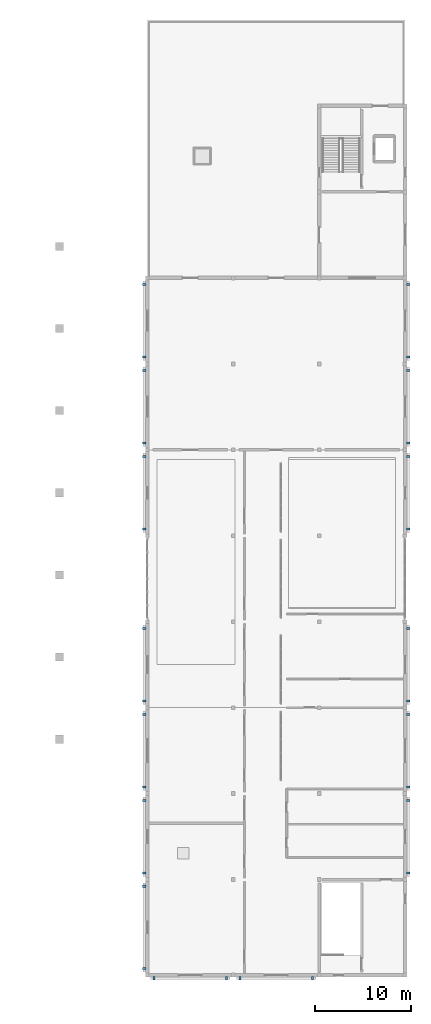
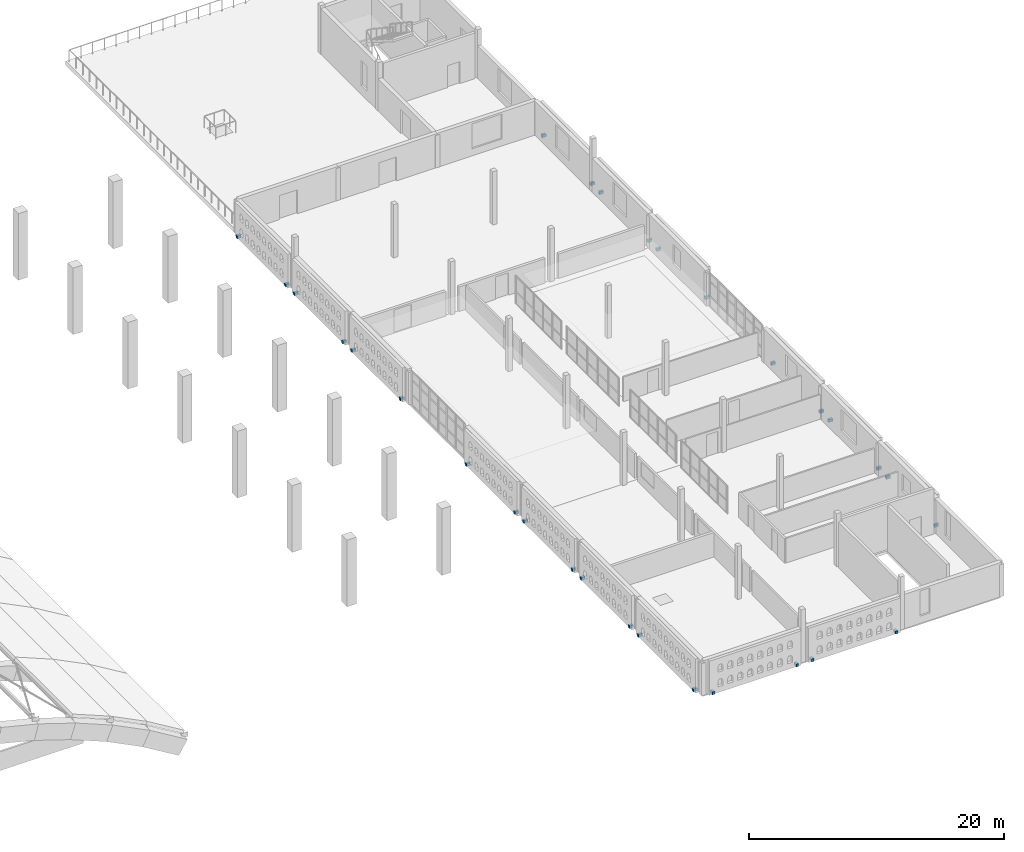
# One storey, part 26 of 30: 30 discrete accessories.
"""IFC4 building model written with IfcOpenShell, lengths in metres."""

from ifc_helpers import new_model, si_unit, direction, frame, origin, origin_2d, place, context, subcontext, project, spatial, rectangle, extrude, material, type_object, element, save


model = new_model("IFC4")

# Units and contexts
model_context = context("Model", 3, precision=1e-05, world=origin(), true_north=direction((0.0, 1.0)))
body_context = subcontext(model_context, "Body", "Model", "MODEL_VIEW")
ifc_project = project(units=[si_unit("LENGTHUNIT", "METRE"), si_unit("AREAUNIT", "SQUARE_METRE"), si_unit("VOLUMEUNIT", "CUBIC_METRE"), si_unit("PLANEANGLEUNIT", "RADIAN"), si_unit("MASSUNIT", "GRAM", prefix="KILO")], contexts=[model_context])

# Site, building, storey
site_placement = place(None, origin())
site = spatial("IfcSite", under=ifc_project, at=site_placement, CompositionType="ELEMENT")
building_placement = place(site_placement, origin())
building = spatial("IfcBuilding", under=site, at=building_placement, Name="Ornek Quay Market", CompositionType="ELEMENT")
storey_placement = place(building_placement, frame((0.0, 0.0, 12.0)))
storey = spatial("IfcBuildingStorey", under=building, at=storey_placement, Name="L03", CompositionType="ELEMENT", Elevation=12.0)

# Discrete accessories
ifc_material = material(Name="Stainless steel 316", Category="steel")
discrete_accessory_type = type_object("IfcDiscreteAccessoryType", Name="ACC-BRK-SCREEN-250", PredefinedType="BRACKET", material=ifc_material)
for number, where, z_axis, x_axis, name in (
    (1, (152.669921875, 65.699951171875, 0.0), (0.0, 0.0, 1.0), (0.0, 1.0, 0.0), "Masonry screen bracket BRK-151"),
    (2, (152.669921875, 73.300048828125, 0.0), (0.0, 0.0, 1.0), (0.0, 1.0, 0.0), "Masonry screen bracket BRK-152"),
    (3, (180.330078125, 65.699951171875, 0.0), (0.0, 0.0, 1.0), (0.0, 1.0, 0.0), "Masonry screen bracket BRK-153"),
    (4, (180.330078125, 73.300048828125, 0.0), (0.0, 0.0, 1.0), (0.0, 1.0, 0.0), "Masonry screen bracket BRK-154"),
    (5, (152.669921875, 74.699951171875, 0.0), (0.0, 0.0, 1.0), (0.0, 1.0, 0.0), "Masonry screen bracket BRK-155"),
    (6, (152.669921875, 82.300048828125, 0.0), (0.0, 0.0, 1.0), (0.0, 1.0, 0.0), "Masonry screen bracket BRK-156"),
    (7, (180.330078125, 74.699951171875, 0.0), (0.0, 0.0, 1.0), (0.0, 1.0, 0.0), "Masonry screen bracket BRK-157"),
    (8, (180.330078125, 82.300048828125, 0.0), (0.0, 0.0, 1.0), (0.0, 1.0, 0.0), "Masonry screen bracket BRK-158"),
    (9, (152.669921875, 10.699951171875, 0.0), (0.0, 0.0, 1.0), (0.0, 1.0, 0.0), "Masonry screen bracket BRK-221"),
    (10, (152.669921875, 19.300048828125, 0.0), (0.0, 0.0, 1.0), (0.0, 1.0, 0.0), "Masonry screen bracket BRK-222"),
    (11, (152.669921875, 20.699951171875, 0.0), (0.0, 0.0, 1.0), (0.0, 1.0, 0.0), "Masonry screen bracket BRK-223"),
    (12, (152.669921875, 28.300048828125, 0.0), (0.0, 0.0, 1.0), (0.0, 1.0, 0.0), "Masonry screen bracket BRK-224"),
    (13, (152.669921875, 29.699951171875, 0.0), (0.0, 0.0, 1.0), (0.0, 1.0, 0.0), "Masonry screen bracket BRK-225"),
    (14, (152.669921875, 37.300048828125, 0.0), (0.0, 0.0, 1.0), (0.0, 1.0, 0.0), "Masonry screen bracket BRK-226"),
    (15, (152.669921875, 38.699951171875, 0.0), (0.0, 0.0, 1.0), (0.0, 1.0, 0.0), "Masonry screen bracket BRK-227"),
    (16, (152.669921875, 46.300048828125, 0.0), (0.0, 0.0, 1.0), (0.0, 1.0, 0.0), "Masonry screen bracket BRK-228"),
    (17, (152.669921875, 56.699951171875, 0.0), (0.0, 0.0, 1.0), (0.0, 1.0, 0.0), "Masonry screen bracket BRK-229"),
    (18, (152.669921875, 64.300048828125, 0.0), (0.0, 0.0, 1.0), (0.0, 1.0, 0.0), "Masonry screen bracket BRK-230"),
    (19, (180.330078125, 20.699951171875, 0.0), (0.0, 0.0, 1.0), (0.0, 1.0, 0.0), "Masonry screen bracket BRK-231"),
    (20, (180.330078125, 28.300048828125, 0.0), (0.0, 0.0, 1.0), (0.0, 1.0, 0.0), "Masonry screen bracket BRK-232"),
    (21, (180.330078125, 29.699951171875, 0.0), (0.0, 0.0, 1.0), (0.0, 1.0, 0.0), "Masonry screen bracket BRK-233"),
    (22, (180.330078125, 37.300048828125, 0.0), (0.0, 0.0, 1.0), (0.0, 1.0, 0.0), "Masonry screen bracket BRK-234"),
    (23, (180.330078125, 38.699951171875, 0.0), (0.0, 0.0, 1.0), (0.0, 1.0, 0.0), "Masonry screen bracket BRK-235"),
    (24, (180.330078125, 46.300048828125, 0.0), (0.0, 0.0, 1.0), (0.0, 1.0, 0.0), "Masonry screen bracket BRK-236"),
    (25, (180.330078125, 56.699951171875, 0.0), (0.0, 0.0, 1.0), (0.0, 1.0, 0.0), "Masonry screen bracket BRK-237"),
    (26, (180.330078125, 64.300048828125, 0.0), (0.0, 0.0, 1.0), (0.0, 1.0, 0.0), "Masonry screen bracket BRK-238"),
    (27, (153.699951171875, 9.669921875, 0.0), (0.0, 0.0, 1.0), (1.0, 0.0, 0.0), "Masonry screen bracket BRK-239"),
    (28, (161.300048828125, 9.669921875, 0.0), (0.0, 0.0, 1.0), (1.0, 0.0, 0.0), "Masonry screen bracket BRK-240"),
    (29, (162.699951171875, 9.669921875, 0.0), (0.0, 0.0, 1.0), (1.0, 0.0, 0.0), "Masonry screen bracket BRK-241"),
    (30, (170.300048828125, 9.669921875, 0.0), (0.0, 0.0, 1.0), (1.0, 0.0, 0.0), "Masonry screen bracket BRK-242"),
):
    element("IfcDiscreteAccessory", number, at=place(storey_placement, frame(where, z_axis=z_axis, x_axis=x_axis)), inside=storey, type_object=discrete_accessory_type, Name=name, PredefinedType="BRACKET", context=body_context, shape_type="SweptSolid", body=[
        extrude(rectangle(XDim=0.219970703125, YDim=0.360107421875, at=origin_2d()), origin(), (0.0, 0.0, 1.0), 0.260009765625),
    ])

save(model, "model.ifc")
